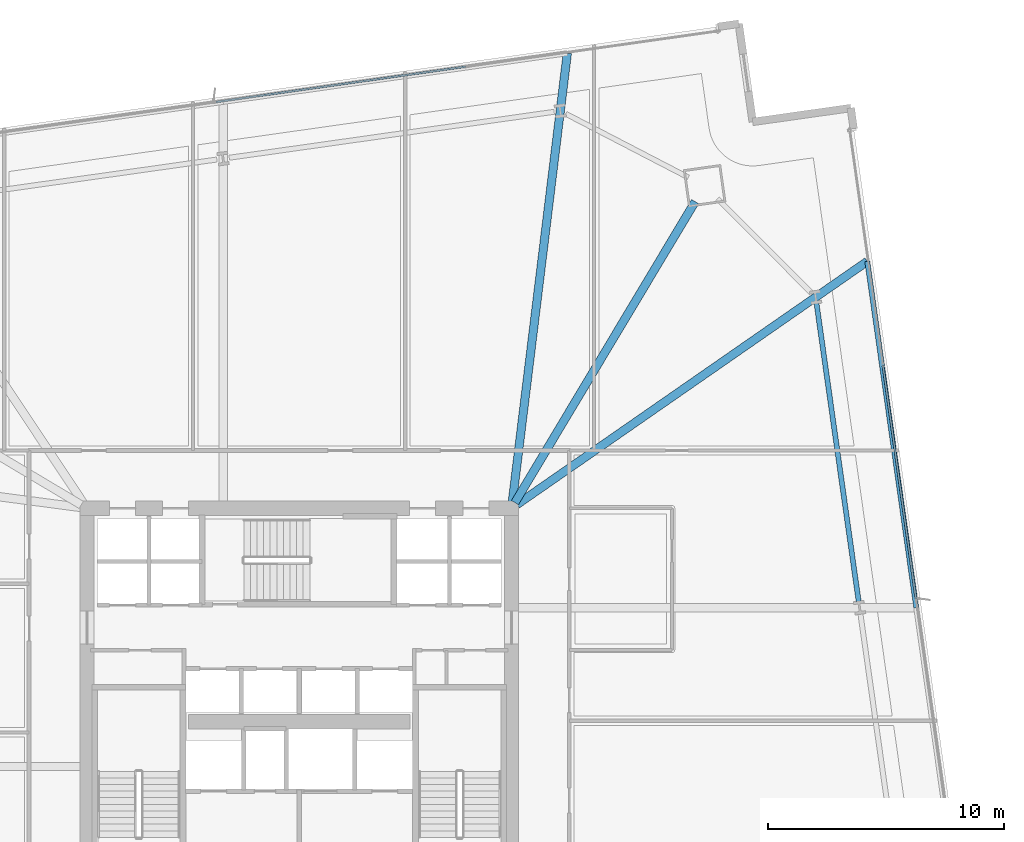
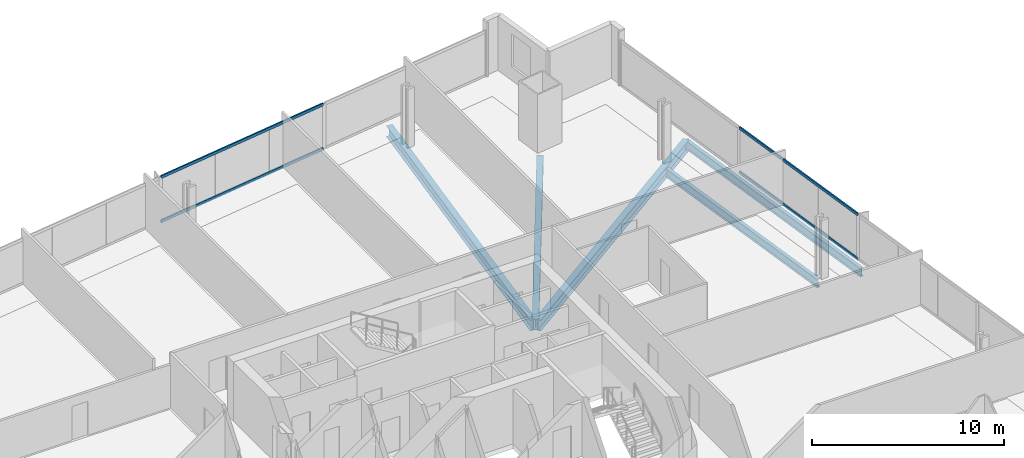
# One storey, part 20 of 33: 5 beams, 4 members, 2 elements without a shape of their own.
"""IFC4 building model written with IfcOpenShell, lengths in metres."""

from ifc_helpers import new_model, si_unit, direction, frame, origin, origin_2d, place, context, subcontext, project, spatial, hollow_rectangle, i_section, extrude, material, material_profile, profile_set, type_object, element, aggregate, save


model = new_model("IFC4")

# Units and contexts
model_context = context("Model", 3, precision=1e-05, world=origin(), true_north=direction((0.0, 1.0)))
body_context = subcontext(model_context, "Body", "Model", "MODEL_VIEW")
ifc_project = project(units=[si_unit("LENGTHUNIT", "METRE"), si_unit("AREAUNIT", "SQUARE_METRE"), si_unit("VOLUMEUNIT", "CUBIC_METRE"), si_unit("PLANEANGLEUNIT", "RADIAN"), si_unit("MASSUNIT", "GRAM", prefix="KILO")], contexts=[model_context])

# Site, building, storey
site_placement = place(None, origin())
site = spatial("IfcSite", under=ifc_project, at=site_placement, CompositionType="ELEMENT")
building_placement = place(site_placement, origin())
building = spatial("IfcBuilding", under=site, at=building_placement, Name="Haldenkirk Collegiate Tower", CompositionType="ELEMENT")
storey_placement = place(building_placement, frame((0.0, 0.0, 55.199951171875)))
storey = spatial("IfcBuildingStorey", under=building, at=storey_placement, Name="L12", CompositionType="ELEMENT", Elevation=55.199951171875)

# Beams
ifc_material_1 = material(Name="Steel ASTM A992 Grade 50", Category="steel")
ifc_material_profile_1 = material_profile(ifc_material_1, i_section(OverallWidth=0.35498046875, OverallDepth=0.696044921875, WebThickness=0.015380859375, FlangeThickness=0.02490234375, at=origin_2d()), Name="W27X146")
ifc_profile_set_1 = profile_set([ifc_material_profile_1], Name="Steel ASTM A992 Grade 50")
beam_type_1 = type_object("IfcBeamType", Name="BM-GIRDER-W27X146", PredefinedType="BEAM", material=ifc_profile_set_1)
beam_1_placement = place(storey_placement, frame((52.783935546875, 47.000732421875, -0.657958984375), z_axis=(-0.513696499257, -0.857971973115, 0.0), x_axis=(0.857971973115, -0.513696499257, 0.0)))
element("IfcBeam", 1, at=beam_1_placement, inside=storey, type_object=beam_type_1, Name="L12 primary floor girder 03", PredefinedType="BEAM", context=body_context, shape_type="SweptSolid", body=[
    extrude(i_section(OverallWidth=0.35498046875, OverallDepth=0.696044921875, WebThickness=0.015380859375, FlangeThickness=0.02490234375, at=origin_2d()), origin(), (0.0, 0.0, 1.0), 14.872802734375),
])
beam_2_placement = place(storey_placement, frame((60.0810546875, 44.468017578125, -0.657958984375), z_axis=(-0.821496838423, -0.570213069353, 0.0), x_axis=(0.570213069353, -0.821496838423, 0.0)))
element("IfcBeam", 2, at=beam_2_placement, inside=storey, type_object=beam_type_1, Name="L12 primary floor girder 10", PredefinedType="BEAM", context=body_context, shape_type="SweptSolid", body=[
    extrude(i_section(OverallWidth=0.35498046875, OverallDepth=0.696044921875, WebThickness=0.015380859375, FlangeThickness=0.02490234375, at=origin_2d()), origin(), (0.0, 0.0, 1.0), 18.078125),
])
beam_3_placement = place(storey_placement, frame((47.365966796875, 53.29052734375, -0.657958984375), z_axis=(-0.121731595621, -0.99256305524, 0.0), x_axis=(0.99256305524, -0.121731595621, 0.0)))
element("IfcBeam", 3, at=beam_3_placement, inside=storey, type_object=beam_type_1, Name="L12 primary floor girder 11", PredefinedType="BEAM", context=body_context, shape_type="SweptSolid", body=[
    extrude(i_section(OverallWidth=0.35498046875, OverallDepth=0.696044921875, WebThickness=0.015380859375, FlangeThickness=0.02490234375, at=origin_2d()), origin(), (0.0, 0.0, 1.0), 19.155029296875),
])
ifc_material_profile_2 = material_profile(ifc_material_1, i_section(OverallWidth=0.2119140625, OverallDepth=0.5439453125, WebThickness=0.01318359375, FlangeThickness=0.021240234375, at=origin_2d()), Name="W21X83")
ifc_profile_set_2 = profile_set([ifc_material_profile_2], Name="Steel ASTM A992 Grade 50")
beam_type_2 = type_object("IfcBeamType", Name="BM-SPANDREL-W21X83", PredefinedType="SPANDREL", material=ifc_profile_set_2)
beam_4_placement = place(storey_placement, frame((59.716552734375, 30.050537109375, -0.58203125), z_axis=(-0.140052642207, 0.990144058918, 0.0), x_axis=(-0.990144058918, -0.140052642207, 0.0)))
element("IfcBeam", 4, at=beam_4_placement, inside=storey, type_object=beam_type_2, Name="L12 perimeter spandrel beam 07", PredefinedType="SPANDREL", context=body_context, shape_type="SweptSolid", body=[
    extrude(i_section(OverallWidth=0.2119140625, OverallDepth=0.5439453125, WebThickness=0.01318359375, FlangeThickness=0.021240234375, at=origin_2d()), origin(), (0.0, 0.0, 1.0), 12.761962890625),
])
beam_5_placement = place(storey_placement, frame((62.1572265625, 29.788818359375, -0.58203125), z_axis=(-0.140042531327, 0.990145489016, 0.0), x_axis=(-0.990145489016, -0.140042531327, 0.0)))
element("IfcBeam", 5, at=beam_5_placement, inside=storey, type_object=beam_type_2, Name="L12 outer facade edge beam 2B", PredefinedType="SPANDREL", context=body_context, shape_type="SweptSolid", body=[
    extrude(i_section(OverallWidth=0.2119140625, OverallDepth=0.5439453125, WebThickness=0.01318359375, FlangeThickness=0.021240234375, at=origin_2d()), origin(), (0.0, 0.0, 1.0), 14.8251953125),
])

# Curtain wall, members
ifc_material_2 = material(Name="Anodised architectural bronze aluminium", Category="aluminium")
curtain_wall_type = type_object("IfcCurtainWallType", Name="CW-SYS1-CONVEX-LOW", PredefinedType="USERDEFINED", material=ifc_material_2)
curtain_wall_1_placement = place(storey_placement, origin())
curtain_wall_1 = element("IfcCurtainWall", 6, at=curtain_wall_1_placement, inside=storey, type_object=curtain_wall_type, Name="L12 Lower tower convex bronze-framed unitised curtain wall", ObjectType="UNITISED CURTAIN WALL", PredefinedType="USERDEFINED")
ifc_material_profile_3 = material_profile(ifc_material_2, hollow_rectangle(XDim=0.080078125, YDim=0.179931640625, WallThickness=0.0048828125, at=origin_2d()), Name="CW-TRN-1A")
ifc_profile_set_3 = profile_set([ifc_material_profile_3], Name="Anodised architectural bronze aluminium")
member_type = type_object("IfcMemberType", Name="CW-TRN-1A", PredefinedType="USERDEFINED", material=ifc_profile_set_3)
member_1_placement = place(storey_placement, frame((60.7470703125, 40.045166015625, 0.0400390625), z_axis=(0.140025119457, -0.990147951531, 0.0), x_axis=(0.990147951531, 0.140025119457, 0.0)))
member_1 = element("IfcMember", 7, at=member_1_placement, type_object=member_type, Name="CW-1A transom 2.1", ObjectType="TRANSOM", PredefinedType="USERDEFINED", context=body_context, shape_type="SweptSolid", body=[
    extrude(hollow_rectangle(XDim=0.080078125, YDim=0.179931640625, WallThickness=0.0048828125, at=origin_2d()), origin(), (0.0, 0.0, 1.0), 9.98876953125),
])
member_2_placement = place(storey_placement, frame((60.7470703125, 40.045166015625, 2.85107421875), z_axis=(0.140025119457, -0.990147951531, 0.0), x_axis=(0.990147951531, 0.140025119457, 0.0)))
member_2 = element("IfcMember", 8, at=member_2_placement, type_object=member_type, Name="CW-1A transom 2.2", ObjectType="TRANSOM", PredefinedType="USERDEFINED", context=body_context, shape_type="SweptSolid", body=[
    extrude(hollow_rectangle(XDim=0.080078125, YDim=0.179931640625, WallThickness=0.0048828125, at=origin_2d()), origin(), (0.0, 0.0, 1.0), 9.98876953125),
])
aggregate(curtain_wall_1, [member_1, member_2])

curtain_wall_2_placement = place(storey_placement, origin())
curtain_wall_2 = element("IfcCurtainWall", 9, at=curtain_wall_2_placement, inside=storey, type_object=curtain_wall_type, Name="L12 Lower tower convex bronze-framed unitised curtain wall", ObjectType="UNITISED CURTAIN WALL", PredefinedType="USERDEFINED")
member_3_placement = place(storey_placement, frame((32.472900390625, 51.224609375, 0.0400390625), z_axis=(0.990144856742, 0.140047001639, 0.0), x_axis=(-0.140047001639, 0.990144856742, 0.0)))
member_3 = element("IfcMember", 10, at=member_3_placement, type_object=member_type, Name="CW-1A transom 3.1", ObjectType="TRANSOM", PredefinedType="USERDEFINED", context=body_context, shape_type="SweptSolid", body=[
    extrude(hollow_rectangle(XDim=0.080078125, YDim=0.179931640625, WallThickness=0.0048828125, at=origin_2d()), origin(), (0.0, 0.0, 1.0), 10.695068359375),
])
member_4_placement = place(storey_placement, frame((32.472900390625, 51.224609375, 2.85107421875), z_axis=(0.990144856742, 0.140047001639, 0.0), x_axis=(-0.140047001639, 0.990144856742, 0.0)))
member_4 = element("IfcMember", 11, at=member_4_placement, type_object=member_type, Name="CW-1A transom 3.2", ObjectType="TRANSOM", PredefinedType="USERDEFINED", context=body_context, shape_type="SweptSolid", body=[
    extrude(hollow_rectangle(XDim=0.080078125, YDim=0.179931640625, WallThickness=0.0048828125, at=origin_2d()), origin(), (0.0, 0.0, 1.0), 10.695068359375),
])
aggregate(curtain_wall_2, [member_3, member_4])

save(model, "model.ifc")
